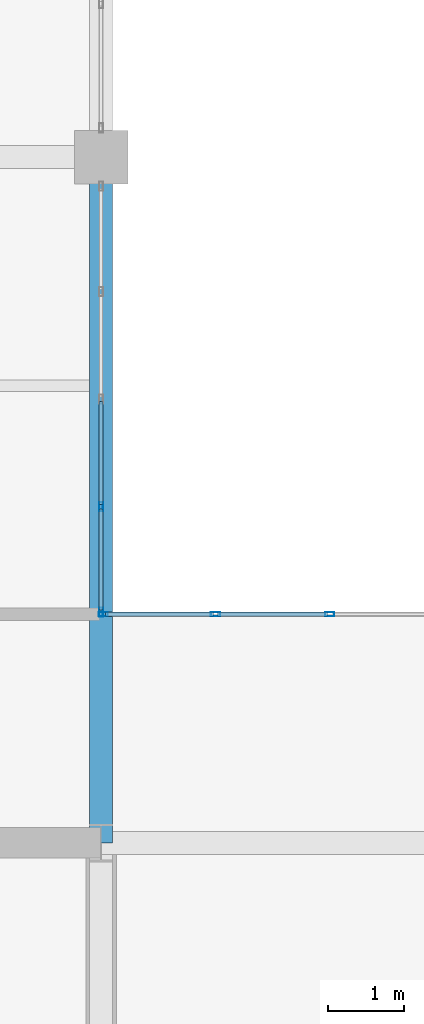
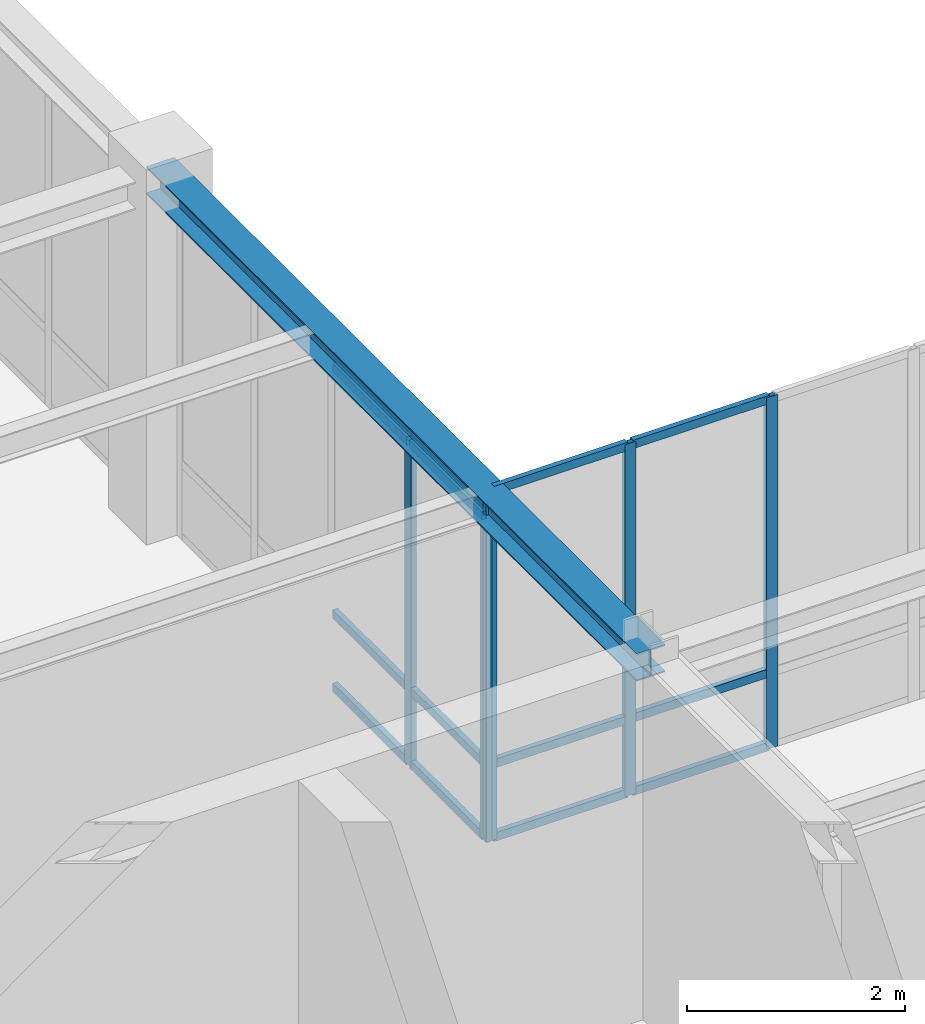
# One storey, part 27 of 108: 17 members, 1 beam, 2 elements without a shape of their own.
"""IFC4 building model written with IfcOpenShell, lengths in metres."""

from ifc_helpers import new_model, si_unit, direction, frame, origin, origin_2d, place, context, subcontext, project, spatial, hollow_rectangle, i_section, extrude, material, material_profile, profile_set, type_object, element, aggregate, save


model = new_model("IFC4")

# Units and contexts
model_context = context("Model", 3, precision=1e-05, world=origin(), true_north=direction((0.0, 1.0)))
body_context = subcontext(model_context, "Body", "Model", "MODEL_VIEW")
ifc_project = project(units=[si_unit("LENGTHUNIT", "METRE"), si_unit("AREAUNIT", "SQUARE_METRE"), si_unit("VOLUMEUNIT", "CUBIC_METRE"), si_unit("PLANEANGLEUNIT", "RADIAN"), si_unit("MASSUNIT", "GRAM", prefix="KILO")], contexts=[model_context])

# Site, building, storey
site_placement = place(None, origin())
site = spatial("IfcSite", under=ifc_project, at=site_placement, CompositionType="ELEMENT")
building_placement = place(site_placement, origin())
building = spatial("IfcBuilding", under=site, at=building_placement, Name="Lykobir Media Centre", CompositionType="ELEMENT")
storey_placement = place(building_placement, frame((0.0, 0.0, 15.0)))
storey = spatial("IfcBuildingStorey", under=building, at=storey_placement, Name="L03", CompositionType="ELEMENT", Elevation=15.0)

# Beam
ifc_material_1 = material(Name="Steel S355", Category="steel")
ifc_material_profile_1 = material_profile(ifc_material_1, i_section(OverallWidth=0.300048828125, OverallDepth=0.31005859375, WebThickness=0.009033203125, FlangeThickness=0.015380859375, at=origin_2d()), Name="HEA 320")
ifc_profile_set_1 = profile_set([ifc_material_profile_1], Name="Steel S355")
beam_type = type_object("IfcBeamType", Name="BM-HEA320", PredefinedType="BEAM", material=ifc_profile_set_1)
beam_placement = place(storey_placement, frame((36.0, 18.0, 3.804931640625), z_axis=(0.0, 1.0, 0.0), x_axis=(-1.0, 0.0, 0.0)))
element("IfcBeam", 1, at=beam_placement, inside=storey, type_object=beam_type, Name="Beam BM-L03-0360-0180-0360-0270-1880", PredefinedType="BEAM", context=body_context, shape_type="SweptSolid", body=[
    extrude(i_section(OverallWidth=0.300048828125, OverallDepth=0.31005859375, WebThickness=0.009033203125, FlangeThickness=0.015380859375, at=origin_2d()), origin(), (0.0, 0.0, 1.0), 9.0),
])

# Curtain wall, members
ifc_material_2 = material(Name="Anodized Aluminium AW-6060", Category="aluminium")
curtain_wall_type = type_object("IfcCurtainWallType", Name="CW-COURT-B", PredefinedType="NOTDEFINED", material=ifc_material_2)
curtain_wall_1_placement = place(storey_placement, origin())
curtain_wall_1 = element("IfcCurtainWall", 2, at=curtain_wall_1_placement, inside=storey, type_object=curtain_wall_type, Name="Curtain wall CW2-L03-0111", PredefinedType="NOTDEFINED")
ifc_material_profile_2 = material_profile(ifc_material_2, hollow_rectangle(XDim=0.054931640625, YDim=0.1201171875, WallThickness=0.003173828125, at=origin_2d()), Name="ALU MULLION 55x120")
ifc_profile_set_2 = profile_set([ifc_material_profile_2], Name="Anodized Aluminium AW-6060")
member_type_1 = type_object("IfcMemberType", Name="CWM-120", PredefinedType="MULLION", material=ifc_profile_set_2)
member_1_placement = place(storey_placement, frame((36.027587890625, 21.0, 0.0), z_axis=(0.0, 0.0, 1.0), x_axis=(0.0, 1.0, 0.0)))
member_1 = element("IfcMember", 3, at=member_1_placement, type_object=member_type_1, Name="CW2-L03-0111 mullion 1", PredefinedType="MULLION", context=body_context, shape_type="SweptSolid", body=[
    extrude(hollow_rectangle(XDim=0.054931640625, YDim=0.1201171875, WallThickness=0.003173828125, at=origin_2d()), origin(), (0.0, 0.0, 1.0), 3.93994140625),
])
member_2_placement = place(storey_placement, frame((37.5, 21.0, 0.0), z_axis=(0.0, 0.0, 1.0), x_axis=(0.0, 1.0, 0.0)))
member_2 = element("IfcMember", 4, at=member_2_placement, type_object=member_type_1, Name="CW2-L03-0111 mullion 2", PredefinedType="MULLION", context=body_context, shape_type="SweptSolid", body=[
    extrude(hollow_rectangle(XDim=0.054931640625, YDim=0.1201171875, WallThickness=0.003173828125, at=origin_2d()), origin(), (0.0, 0.0, 1.0), 3.93994140625),
])
member_3_placement = place(storey_placement, frame((39.0, 21.0, 0.0), z_axis=(0.0, 0.0, 1.0), x_axis=(0.0, 1.0, 0.0)))
member_3 = element("IfcMember", 5, at=member_3_placement, type_object=member_type_1, Name="CW2-L03-0111 mullion 3", PredefinedType="MULLION", context=body_context, shape_type="SweptSolid", body=[
    extrude(hollow_rectangle(XDim=0.054931640625, YDim=0.1201171875, WallThickness=0.003173828125, at=origin_2d()), origin(), (0.0, 0.0, 1.0), 3.93994140625),
])

curtain_wall_2_placement = place(storey_placement, origin())
curtain_wall_2 = element("IfcCurtainWall", 6, at=curtain_wall_2_placement, inside=storey, type_object=curtain_wall_type, Name="Curtain wall CW2-L03-0115", PredefinedType="NOTDEFINED")
member_4_placement = place(storey_placement, frame((36.0, 22.4111328125, 0.0), z_axis=(0.0, 0.0, 1.0), x_axis=(1.0, 0.0, 0.0)))
member_4 = element("IfcMember", 7, at=member_4_placement, type_object=member_type_1, Name="CW2-L03-0115 mullion 4", PredefinedType="MULLION", context=body_context, shape_type="SweptSolid", body=[
    extrude(hollow_rectangle(XDim=0.054931640625, YDim=0.1201171875, WallThickness=0.003173828125, at=origin_2d()), origin(), (0.0, 0.0, 1.0), 3.635009765625),
])
member_5_placement = place(storey_placement, frame((36.0, 21.027587890625, 0.0), z_axis=(0.0, 0.0, 1.0), x_axis=(1.0, 0.0, 0.0)))
member_5 = element("IfcMember", 8, at=member_5_placement, type_object=member_type_1, Name="CW2-L03-0115 mullion 5", PredefinedType="MULLION", context=body_context, shape_type="SweptSolid", body=[
    extrude(hollow_rectangle(XDim=0.054931640625, YDim=0.1201171875, WallThickness=0.003173828125, at=origin_2d()), origin(), (0.0, 0.0, 1.0), 3.635009765625),
])

# Member
ifc_material_profile_3 = material_profile(ifc_material_2, hollow_rectangle(XDim=0.054931640625, YDim=0.094970703125, WallThickness=0.0029296875, at=origin_2d()), Name="ALU TRANSOM 55x95")
ifc_profile_set_3 = profile_set([ifc_material_profile_3], Name="Anodized Aluminium AW-6060")
member_type_2 = type_object("IfcMemberType", Name="CWT-095", PredefinedType="USERDEFINED", material=ifc_profile_set_3)
member_6_placement = place(storey_placement, frame((36.054931640625, 21.0, 0.027587890625), z_axis=(1.0, 0.0, 0.0), x_axis=(0.0, 1.0, 0.0)))
member_6 = element("IfcMember", 9, at=member_6_placement, type_object=member_type_2, Name="CW2-L03-0111 transom 1.1", ObjectType="TRANSOM", PredefinedType="USERDEFINED", context=body_context, shape_type="SweptSolid", body=[
    extrude(hollow_rectangle(XDim=0.054931640625, YDim=0.094970703125, WallThickness=0.0029296875, at=origin_2d()), origin(), (0.0, 0.0, 1.0), 1.41748046875),
])

member_7_placement = place(storey_placement, frame((36.054931640625, 21.0, 0.85009765625), z_axis=(1.0, 0.0, 0.0), x_axis=(0.0, 1.0, 0.0)))
member_7 = element("IfcMember", 10, at=member_7_placement, type_object=member_type_2, Name="CW2-L03-0111 transom 1.2", ObjectType="TRANSOM", PredefinedType="USERDEFINED", context=body_context, shape_type="SweptSolid", body=[
    extrude(hollow_rectangle(XDim=0.054931640625, YDim=0.094970703125, WallThickness=0.0029296875, at=origin_2d()), origin(), (0.0, 0.0, 1.0), 1.41748046875),
])

member_8_placement = place(storey_placement, frame((36.054931640625, 21.0, 3.91259765625), z_axis=(1.0, 0.0, 0.0), x_axis=(0.0, 1.0, 0.0)))
member_8 = element("IfcMember", 11, at=member_8_placement, type_object=member_type_2, Name="CW2-L03-0111 transom 1.3", ObjectType="TRANSOM", PredefinedType="USERDEFINED", context=body_context, shape_type="SweptSolid", body=[
    extrude(hollow_rectangle(XDim=0.054931640625, YDim=0.094970703125, WallThickness=0.0029296875, at=origin_2d()), origin(), (0.0, 0.0, 1.0), 1.41748046875),
])

member_9_placement = place(storey_placement, frame((37.527587890625, 21.0, 0.027587890625), z_axis=(1.0, 0.0, 0.0), x_axis=(0.0, 1.0, 0.0)))
member_9 = element("IfcMember", 12, at=member_9_placement, type_object=member_type_2, Name="CW2-L03-0111 transom 2.1", ObjectType="TRANSOM", PredefinedType="USERDEFINED", context=body_context, shape_type="SweptSolid", body=[
    extrude(hollow_rectangle(XDim=0.054931640625, YDim=0.094970703125, WallThickness=0.0029296875, at=origin_2d()), origin(), (0.0, 0.0, 1.0), 1.44482421875),
])

member_10_placement = place(storey_placement, frame((37.527587890625, 21.0, 0.85009765625), z_axis=(1.0, 0.0, 0.0), x_axis=(0.0, 1.0, 0.0)))
member_10 = element("IfcMember", 13, at=member_10_placement, type_object=member_type_2, Name="CW2-L03-0111 transom 2.2", ObjectType="TRANSOM", PredefinedType="USERDEFINED", context=body_context, shape_type="SweptSolid", body=[
    extrude(hollow_rectangle(XDim=0.054931640625, YDim=0.094970703125, WallThickness=0.0029296875, at=origin_2d()), origin(), (0.0, 0.0, 1.0), 1.44482421875),
])

member_11_placement = place(storey_placement, frame((37.527587890625, 21.0, 3.91259765625), z_axis=(1.0, 0.0, 0.0), x_axis=(0.0, 1.0, 0.0)))
member_11 = element("IfcMember", 14, at=member_11_placement, type_object=member_type_2, Name="CW2-L03-0111 transom 2.3", ObjectType="TRANSOM", PredefinedType="USERDEFINED", context=body_context, shape_type="SweptSolid", body=[
    extrude(hollow_rectangle(XDim=0.054931640625, YDim=0.094970703125, WallThickness=0.0029296875, at=origin_2d()), origin(), (0.0, 0.0, 1.0), 1.44482421875),
])

aggregate(curtain_wall_1, [member_1, member_2, member_3, member_6, member_7, member_8, member_9, member_10, member_11])

member_12_placement = place(storey_placement, frame((36.0, 23.794921875, 0.027587890625), z_axis=(0.0, -1.0, 0.0), x_axis=(1.0, 0.0, 0.0)))
member_12 = element("IfcMember", 15, at=member_12_placement, type_object=member_type_2, Name="CW2-L03-0115 transom 3.1", ObjectType="TRANSOM", PredefinedType="USERDEFINED", context=body_context, shape_type="SweptSolid", body=[
    extrude(hollow_rectangle(XDim=0.054931640625, YDim=0.094970703125, WallThickness=0.0029296875, at=origin_2d()), origin(), (0.0, 0.0, 1.0), 1.356201171875),
])

member_13_placement = place(storey_placement, frame((36.0, 23.794921875, 0.85009765625), z_axis=(0.0, -1.0, 0.0), x_axis=(1.0, 0.0, 0.0)))
member_13 = element("IfcMember", 16, at=member_13_placement, type_object=member_type_2, Name="CW2-L03-0115 transom 3.2", ObjectType="TRANSOM", PredefinedType="USERDEFINED", context=body_context, shape_type="SweptSolid", body=[
    extrude(hollow_rectangle(XDim=0.054931640625, YDim=0.094970703125, WallThickness=0.0029296875, at=origin_2d()), origin(), (0.0, 0.0, 1.0), 1.356201171875),
])

member_14_placement = place(storey_placement, frame((36.0, 23.794921875, 3.607421875), z_axis=(0.0, -1.0, 0.0), x_axis=(1.0, 0.0, 0.0)))
member_14 = element("IfcMember", 17, at=member_14_placement, type_object=member_type_2, Name="CW2-L03-0115 transom 3.3", ObjectType="TRANSOM", PredefinedType="USERDEFINED", context=body_context, shape_type="SweptSolid", body=[
    extrude(hollow_rectangle(XDim=0.054931640625, YDim=0.094970703125, WallThickness=0.0029296875, at=origin_2d()), origin(), (0.0, 0.0, 1.0), 1.356201171875),
])

member_15_placement = place(storey_placement, frame((36.0, 22.3837890625, 0.027587890625), z_axis=(0.0, -1.0, 0.0), x_axis=(1.0, 0.0, 0.0)))
member_15 = element("IfcMember", 18, at=member_15_placement, type_object=member_type_2, Name="CW2-L03-0115 transom 4.1", ObjectType="TRANSOM", PredefinedType="USERDEFINED", context=body_context, shape_type="SweptSolid", body=[
    extrude(hollow_rectangle(XDim=0.054931640625, YDim=0.094970703125, WallThickness=0.0029296875, at=origin_2d()), origin(), (0.0, 0.0, 1.0), 1.328857421875),
])

member_16_placement = place(storey_placement, frame((36.0, 22.3837890625, 0.85009765625), z_axis=(0.0, -1.0, 0.0), x_axis=(1.0, 0.0, 0.0)))
member_16 = element("IfcMember", 19, at=member_16_placement, type_object=member_type_2, Name="CW2-L03-0115 transom 4.2", ObjectType="TRANSOM", PredefinedType="USERDEFINED", context=body_context, shape_type="SweptSolid", body=[
    extrude(hollow_rectangle(XDim=0.054931640625, YDim=0.094970703125, WallThickness=0.0029296875, at=origin_2d()), origin(), (0.0, 0.0, 1.0), 1.328857421875),
])

member_17_placement = place(storey_placement, frame((36.0, 22.3837890625, 3.607421875), z_axis=(0.0, -1.0, 0.0), x_axis=(1.0, 0.0, 0.0)))
member_17 = element("IfcMember", 20, at=member_17_placement, type_object=member_type_2, Name="CW2-L03-0115 transom 4.3", ObjectType="TRANSOM", PredefinedType="USERDEFINED", context=body_context, shape_type="SweptSolid", body=[
    extrude(hollow_rectangle(XDim=0.054931640625, YDim=0.094970703125, WallThickness=0.0029296875, at=origin_2d()), origin(), (0.0, 0.0, 1.0), 1.328857421875),
])

aggregate(curtain_wall_2, [member_4, member_5, member_12, member_13, member_14, member_15, member_16, member_17])

save(model, "model.ifc")
